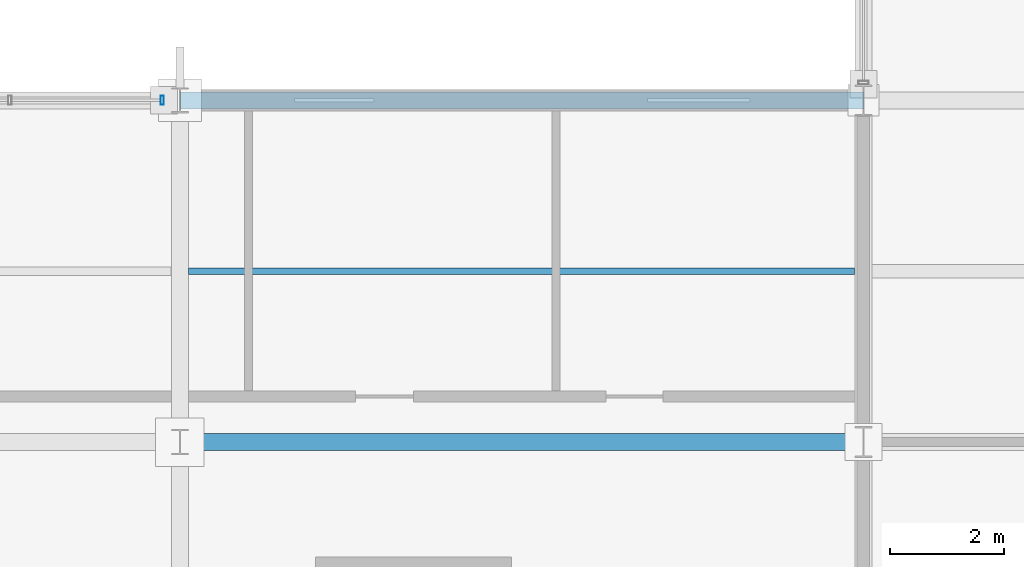
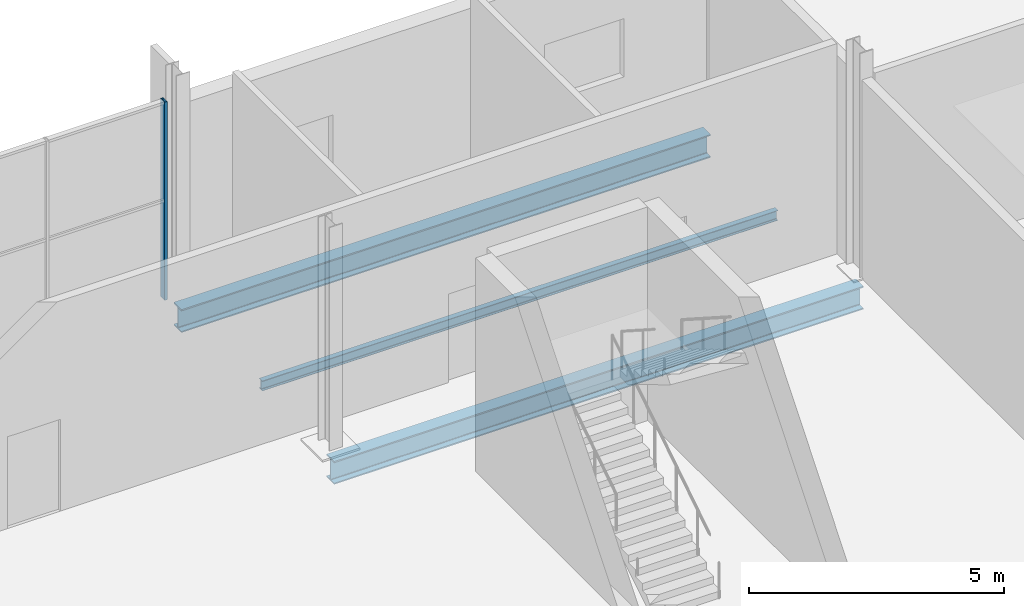
# One storey, part 135 of 196: 3 beams, 1 member, 1 element without a shape of its own.
"""IFC4 building model written with IfcOpenShell, lengths in metres."""

from ifc_helpers import new_model, si_unit, direction, frame, origin, origin_2d, place, context, subcontext, project, spatial, hollow_rectangle, i_section, extrude, material, material_profile, profile_set, type_object, element, aggregate, save


model = new_model("IFC4")

# Units and contexts
model_context = context("Model", 3, precision=1e-05, world=origin(), true_north=direction((0.0, 1.0)))
body_context = subcontext(model_context, "Body", "Model", "MODEL_VIEW")
ifc_project = project(units=[si_unit("LENGTHUNIT", "METRE"), si_unit("AREAUNIT", "SQUARE_METRE"), si_unit("VOLUMEUNIT", "CUBIC_METRE"), si_unit("PLANEANGLEUNIT", "RADIAN"), si_unit("MASSUNIT", "GRAM", prefix="KILO")], contexts=[model_context])

# Site, building, storey
site_placement = place(None, origin())
site = spatial("IfcSite", under=ifc_project, at=site_placement, CompositionType="ELEMENT")
building_placement = place(site_placement, origin())
building = spatial("IfcBuilding", under=site, at=building_placement, Name="Merenkruunu Market Hall", CompositionType="ELEMENT")
storey_placement = place(building_placement, origin())
storey = spatial("IfcBuildingStorey", under=building, at=storey_placement, Name="L00", CompositionType="ELEMENT", Elevation=0.0)

# Curtain wall, member
ifc_material_1 = material(Name="Powder-coated aluminium", Category="aluminium")
curtain_wall_type = type_object("IfcCurtainWallType", Name="Glazed Curtain Wall CW06", PredefinedType="USERDEFINED", material=ifc_material_1)
curtain_wall_placement = place(storey_placement, origin())
curtain_wall = element("IfcCurtainWall", 1, at=curtain_wall_placement, inside=storey, type_object=curtain_wall_type, Name="CW-L00-CWM01-196", ObjectType="GLAZED_FACADE", PredefinedType="USERDEFINED")
ifc_material_profile_1 = material_profile(ifc_material_1, hollow_rectangle(XDim=0.06005859375, YDim=0.159912109375, WallThickness=0.00390625, at=origin_2d()), Name="ALU 60x160x4")
ifc_profile_set_1 = profile_set([ifc_material_profile_1], Name="Powder-coated aluminium")
member_type = type_object("IfcMemberType", Name="Curtain Wall Mullion CWM01", PredefinedType="MULLION", material=ifc_profile_set_1)
member_placement = place(storey_placement, frame((136.489990234375, 45.60009765625, 0.0), z_axis=(0.0, 0.0, 1.0), x_axis=(1.0, 0.0, 0.0)))
member = element("IfcMember", 2, at=member_placement, type_object=member_type, Name="CW06 mullion 4", PredefinedType="MULLION", context=body_context, shape_type="SweptSolid", body=[
    extrude(hollow_rectangle(XDim=0.06005859375, YDim=0.159912109375, WallThickness=0.00390625, at=origin_2d()), origin(), (0.0, 0.0, 1.0), 4.75),
])
aggregate(curtain_wall, [member])

# Beams
ifc_material_2 = material(Name="Steel S355J2", Category="steel")
ifc_material_profile_2 = material_profile(ifc_material_2, i_section(OverallWidth=0.300048828125, OverallDepth=0.550048828125, WebThickness=0.014892578125, FlangeThickness=0.029052734375, FilletRadius=0.027099609375, at=origin_2d()), Name="HEB 550")
ifc_profile_set_2 = profile_set([ifc_material_profile_2], Name="Steel S355J2")
beam_type_1 = type_object("IfcBeamType", Name="Primary Floor Girder B02", PredefinedType="BEAM", material=ifc_profile_set_2)
for number, where, z_axis, x_axis, name in (
    (3, (136.800048828125, 39.60009765625, -0.574951171875), (1.0, 0.0, 0.0), (0.0, 1.0, 0.0), "BM-L00-B02-0058"),
    (4, (136.800048828125, 45.60009765625, -0.574951171875), (1.0, 0.0, 0.0), (0.0, 1.0, 0.0), "BM-L00-B02-0076"),
):
    element("IfcBeam", number, at=place(storey_placement, frame(where, z_axis=z_axis, x_axis=x_axis)), inside=storey, type_object=beam_type_1, Name=name, PredefinedType="BEAM", context=body_context, shape_type="SweptSolid", body=[
        extrude(i_section(OverallWidth=0.300048828125, OverallDepth=0.550048828125, WebThickness=0.014892578125, FlangeThickness=0.029052734375, FilletRadius=0.027099609375, at=origin_2d()), origin(), (0.0, 0.0, 1.0), 12.0),
    ])
ifc_material_profile_3 = material_profile(ifc_material_2, i_section(OverallWidth=0.1201171875, OverallDepth=0.239990234375, WebThickness=0.006103515625, FlangeThickness=0.009765625, FilletRadius=0.014892578125, at=origin_2d()), Name="IPE 240")
ifc_profile_set_3 = profile_set([ifc_material_profile_3], Name="Steel S355J2")
beam_type_2 = type_object("IfcBeamType", Name="Secondary Floor Joist J05", PredefinedType="JOIST", material=ifc_profile_set_3)
beam_placement = place(storey_placement, frame((136.952880859375, 42.60009765625, -0.419921875), z_axis=(1.0, 0.0, 0.0), x_axis=(0.0, 1.0, 0.0)))
element("IfcBeam", 5, at=beam_placement, inside=storey, type_object=beam_type_2, Name="BM-L00-J05-0421", PredefinedType="JOIST", context=body_context, shape_type="SweptSolid", body=[
    extrude(i_section(OverallWidth=0.1201171875, OverallDepth=0.239990234375, WebThickness=0.006103515625, FlangeThickness=0.009765625, FilletRadius=0.014892578125, at=origin_2d()), origin(), (0.0, 0.0, 1.0), 11.694091796875),
])

save(model, "model.ifc")
